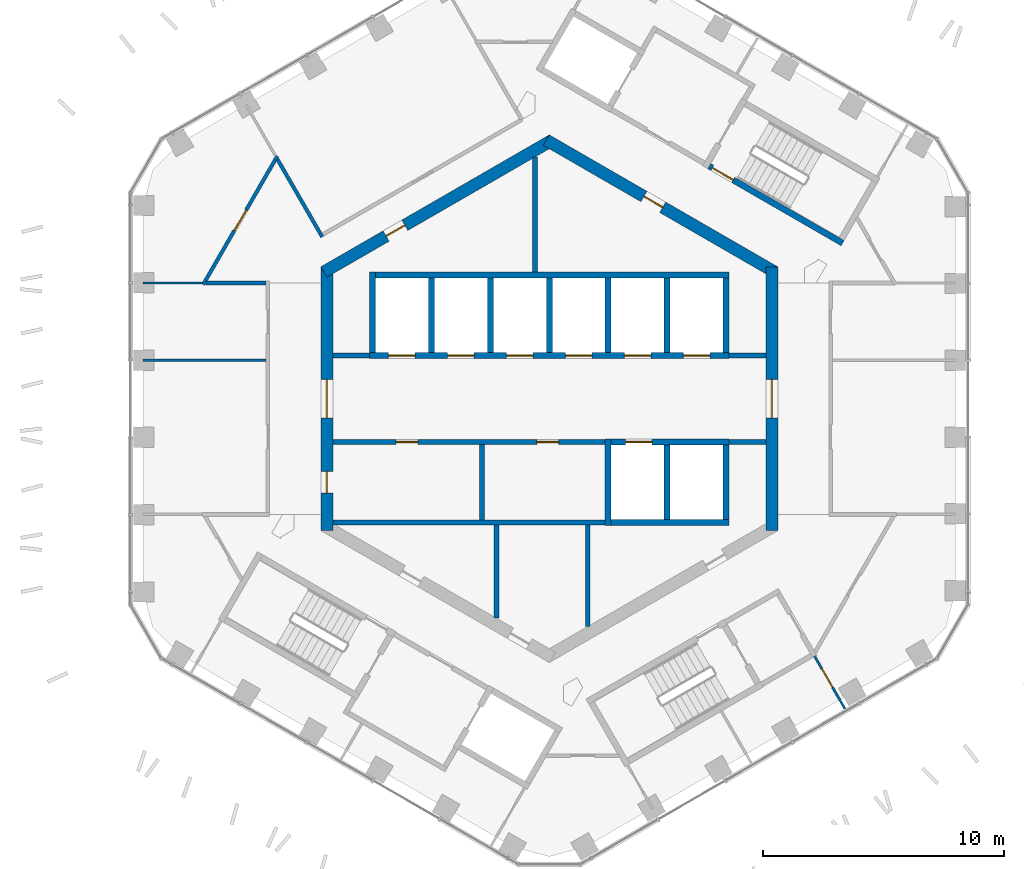
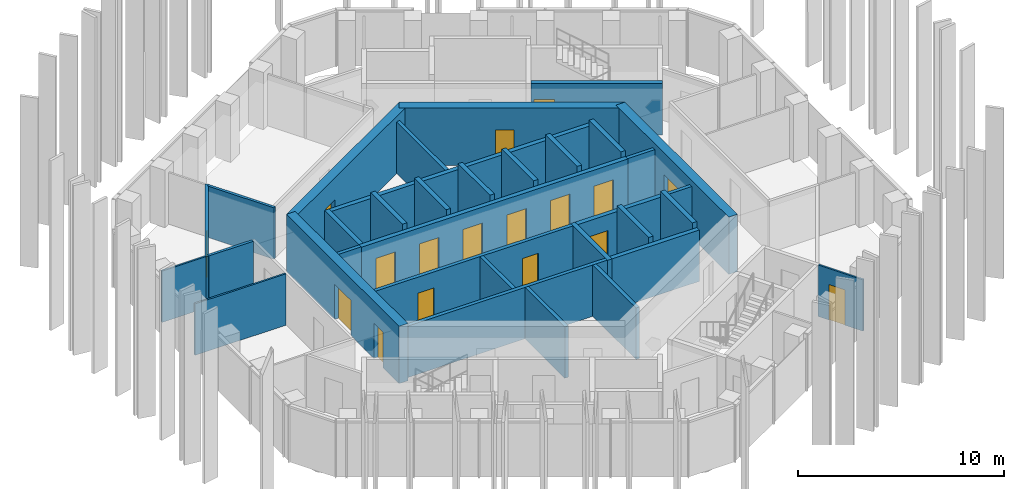
# One storey, part 13 of 18: 34 walls, 17 doors, 17 openings.
"""IFC4 building model written with IfcOpenShell, lengths in metres."""

from ifc_helpers import new_model, si_unit, direction, frame, frame_2d, origin, place, context, subcontext, project, spatial, rectangle, extrude, material, layer, layer_set, type_object, element, fill, save


model = new_model("IFC4")

# Units and contexts
model_context = context("Model", 3, precision=1e-05, world=origin(), true_north=direction((0.0, 1.0)))
body_context = subcontext(model_context, "Body", "Model", "MODEL_VIEW")
ifc_project = project(units=[si_unit("LENGTHUNIT", "METRE"), si_unit("AREAUNIT", "SQUARE_METRE"), si_unit("VOLUMEUNIT", "CUBIC_METRE"), si_unit("PLANEANGLEUNIT", "RADIAN"), si_unit("MASSUNIT", "GRAM", prefix="KILO")], contexts=[model_context])

# Site, building, storey
site_placement = place(None, origin())
site = spatial("IfcSite", under=ifc_project, at=site_placement, CompositionType="ELEMENT")
building_placement = place(site_placement, origin())
building = spatial("IfcBuilding", under=site, at=building_placement, Name="Ayvan Gate Tower", CompositionType="ELEMENT")
storey_placement = place(building_placement, frame((0.0, 0.0, 218.89990234375)))
storey = spatial("IfcBuildingStorey", under=building, at=storey_placement, Name="L58", CompositionType="ELEMENT", Elevation=218.89990234375)

# Wall, opening, door
ifc_material_1 = material(Name="Concrete C60/75", Category="concrete")
ifc_layer_1 = layer(ifc_material_1, 0.5)
ifc_layer_set_1 = layer_set([ifc_layer_1], Name="Concrete C60/75")
wall_type_1 = type_object("IfcWallType", Name="Core wall 500 C60/75", PredefinedType="SHEAR", material=ifc_layer_set_1)
wall_1_placement = place(storey_placement, frame((9.25, -5.48486328125, 0.0), z_axis=(0.0, 0.0, 1.0), x_axis=(0.0, 1.0, 0.0)))
wall_1 = element("IfcWall", 1, at=wall_1_placement, inside=storey, type_object=wall_type_1, Name="CORE-L58-0", PredefinedType="SHEAR", context=body_context, shape_type="SweptSolid", body=[
    extrude(rectangle(XDim=10.9697265625, YDim=0.5, at=frame_2d((5.48486328125, 0.0))), origin(), (0.0, 0.0, 1.0), 3.400146484375),
])
opening_1_placement = place(wall_1_placement, frame((4.684814453125, 0.0, 0.0)))
opening_1 = element("IfcOpeningElement", 2, at=opening_1_placement, cuts=wall_1, Name="Opening L58-D44", PredefinedType="OPENING", context=body_context, shape_type="SweptSolid", body=[
    extrude(rectangle(XDim=1.60009765625, YDim=2.10009765625, at=frame_2d((0.800048828125, 1.050048828125))), frame((0.0, 0.260009765625, 0.0), z_axis=(0.0, -1.0, 0.0), x_axis=(1.0, 0.0, 0.0)), (0.0, 0.0, 1.0), 0.52001953125),
])
ifc_material_2 = material(Name="Timber door leaf", Category="wood")
door_type_1 = type_object("IfcDoorType", Name="DT-1600", OperationType="NOTDEFINED", PredefinedType="DOOR", material=ifc_material_2)
door_1_placement = place(opening_1_placement, origin())
door_1 = element("IfcDoor", 3, at=door_1_placement, inside=storey, type_object=door_type_1, Name="CD-L58-44", OperationType="SINGLE_SWING_RIGHT", OverallHeight=2.10009765625, OverallWidth=1.60009765625, PredefinedType="DOOR", context=body_context, shape_type="SweptSolid", body=[
    extrude(rectangle(XDim=1.60009765625, YDim=2.10009765625, at=frame_2d((0.800048828125, 1.050048828125))), frame((0.0, 0.02490234375, 0.0), z_axis=(0.0, -1.0, 0.0), x_axis=(1.0, 0.0, 0.0)), (0.0, 0.0, 1.0), 0.050048828125),
])
fill(opening_1, door_1)

wall_2_placement = place(storey_placement, frame((9.375, 5.268310546875, 0.0), z_axis=(0.0, 0.0, 1.0), x_axis=(-0.866023993627, 0.500002442456, 0.0)))
wall_2 = element("IfcWall", 4, at=wall_2_placement, inside=storey, type_object=wall_type_1, Name="CORE-L58-1", PredefinedType="SHEAR", context=body_context, shape_type="SweptSolid", body=[
    extrude(rectangle(XDim=10.9697265625, YDim=0.5, at=frame_2d((5.48486328125, 0.0))), origin(), (0.0, 0.0, 1.0), 3.400146484375),
])
opening_2_placement = place(wall_2_placement, frame((5.3818359375, 0.0, 0.0)))
opening_2 = element("IfcOpeningElement", 5, at=opening_2_placement, cuts=wall_2, Name="Opening L58-D39", PredefinedType="OPENING", context=body_context, shape_type="SweptSolid", body=[
    extrude(rectangle(XDim=0.89990234375, YDim=2.10009765625, at=frame_2d((0.449951171875, 1.050048828125))), frame((0.0, 0.260009765625, 0.0), z_axis=(0.0, -1.0, 0.0), x_axis=(1.0, 0.0, 0.0)), (0.0, 0.0, 1.0), 0.52001953125),
])
door_type_2 = type_object("IfcDoorType", Name="DT-900", OperationType="NOTDEFINED", PredefinedType="DOOR", material=ifc_material_2)
door_2_placement = place(opening_2_placement, origin())
door_2 = element("IfcDoor", 6, at=door_2_placement, inside=storey, type_object=door_type_2, Name="CD-L58-39", OperationType="SINGLE_SWING_LEFT", OverallHeight=2.10009765625, OverallWidth=0.89990234375, PredefinedType="DOOR", context=body_context, shape_type="SweptSolid", body=[
    extrude(rectangle(XDim=0.89990234375, YDim=2.10009765625, at=frame_2d((0.449951171875, 1.050048828125))), frame((0.0, 0.02490234375, 0.0), z_axis=(0.0, -1.0, 0.0), x_axis=(1.0, 0.0, 0.0)), (0.0, 0.0, 1.0), 0.050048828125),
])
fill(opening_2, door_2)

wall_3_placement = place(storey_placement, frame((0.125, 10.753173828125, 0.0), z_axis=(0.0, 0.0, 1.0), x_axis=(-0.866023993627, -0.500002442456, 0.0)))
wall_3 = element("IfcWall", 7, at=wall_3_placement, inside=storey, type_object=wall_type_1, Name="CORE-L58-2", PredefinedType="SHEAR", context=body_context, shape_type="SweptSolid", body=[
    extrude(rectangle(XDim=10.9697265625, YDim=0.5, at=frame_2d((5.48486328125, 0.0))), origin(), (0.0, 0.0, 1.0), 3.400146484375),
])
opening_3_placement = place(wall_3_placement, frame((7.079833984375, 0.0, 0.0)))
opening_3 = element("IfcOpeningElement", 8, at=opening_3_placement, cuts=wall_3, Name="Opening L58-D38", PredefinedType="OPENING", context=body_context, shape_type="SweptSolid", body=[
    extrude(rectangle(XDim=0.89990234375, YDim=2.10009765625, at=frame_2d((0.449951171875, 1.050048828125))), frame((0.0, 0.260009765625, 0.0), z_axis=(0.0, -1.0, 0.0), x_axis=(1.0, 0.0, 0.0)), (0.0, 0.0, 1.0), 0.52001953125),
])
door_3_placement = place(opening_3_placement, origin())
door_3 = element("IfcDoor", 9, at=door_3_placement, inside=storey, type_object=door_type_2, Name="CD-L58-38", OperationType="SINGLE_SWING_RIGHT", OverallHeight=2.10009765625, OverallWidth=0.89990234375, PredefinedType="DOOR", context=body_context, shape_type="SweptSolid", body=[
    extrude(rectangle(XDim=0.89990234375, YDim=2.10009765625, at=frame_2d((0.449951171875, 1.050048828125))), frame((0.0, 0.02490234375, 0.0), z_axis=(0.0, -1.0, 0.0), x_axis=(1.0, 0.0, 0.0)), (0.0, 0.0, 1.0), 0.050048828125),
])
fill(opening_3, door_3)

# Wall, openings, doors
wall_4_placement = place(storey_placement, frame((-9.25, 5.48486328125, 0.0), z_axis=(0.0, 0.0, 1.0), x_axis=(0.0, -1.0, 0.0)))
wall_4 = element("IfcWall", 10, at=wall_4_placement, inside=storey, type_object=wall_type_1, Name="CORE-L58-3", PredefinedType="SHEAR", context=body_context, shape_type="SweptSolid", body=[
    extrude(rectangle(XDim=10.9697265625, YDim=0.5, at=frame_2d((5.48486328125, 0.0))), origin(), (0.0, 0.0, 1.0), 3.400146484375),
])
opening_4_placement = place(wall_4_placement, frame((8.509765625, 0.0, 0.0)))
opening_4 = element("IfcOpeningElement", 11, at=opening_4_placement, cuts=wall_4, Name="Opening L58-D43", PredefinedType="OPENING", context=body_context, shape_type="SweptSolid", body=[
    extrude(rectangle(XDim=0.89990234375, YDim=2.10009765625, at=frame_2d((0.449951171875, 1.050048828125))), frame((0.0, 0.260009765625, 0.0), z_axis=(0.0, -1.0, 0.0), x_axis=(1.0, 0.0, 0.0)), (0.0, 0.0, 1.0), 0.52001953125),
])
opening_5_placement = place(wall_4_placement, frame((4.684814453125, 0.0, 0.0)))
opening_5 = element("IfcOpeningElement", 12, at=opening_5_placement, cuts=wall_4, Name="Opening L58-D45", PredefinedType="OPENING", context=body_context, shape_type="SweptSolid", body=[
    extrude(rectangle(XDim=1.60009765625, YDim=2.10009765625, at=frame_2d((0.800048828125, 1.050048828125))), frame((0.0, 0.260009765625, 0.0), z_axis=(0.0, -1.0, 0.0), x_axis=(1.0, 0.0, 0.0)), (0.0, 0.0, 1.0), 0.52001953125),
])
door_4_placement = place(opening_5_placement, origin())
door_4 = element("IfcDoor", 13, at=door_4_placement, inside=storey, type_object=door_type_1, Name="CD-L58-45", OperationType="SINGLE_SWING_LEFT", OverallHeight=2.10009765625, OverallWidth=1.60009765625, PredefinedType="DOOR", context=body_context, shape_type="SweptSolid", body=[
    extrude(rectangle(XDim=1.60009765625, YDim=2.10009765625, at=frame_2d((0.800048828125, 1.050048828125))), frame((0.0, 0.02490234375, 0.0), z_axis=(0.0, -1.0, 0.0), x_axis=(1.0, 0.0, 0.0)), (0.0, 0.0, 1.0), 0.050048828125),
])
fill(opening_5, door_4)
door_5_placement = place(opening_4_placement, origin())
door_5 = element("IfcDoor", 14, at=door_5_placement, inside=storey, type_object=door_type_2, Name="CD-L58-43", OperationType="SINGLE_SWING_LEFT", OverallHeight=2.10009765625, OverallWidth=0.89990234375, PredefinedType="DOOR", context=body_context, shape_type="SweptSolid", body=[
    extrude(rectangle(XDim=0.89990234375, YDim=2.10009765625, at=frame_2d((0.449951171875, 1.050048828125))), frame((0.0, 0.02490234375, 0.0), z_axis=(0.0, -1.0, 0.0), x_axis=(1.0, 0.0, 0.0)), (0.0, 0.0, 1.0), 0.050048828125),
])
fill(opening_4, door_5)

# Wall, opening, door
ifc_material_3 = material(Name="Plasterboard on steel stud", Category="steel")
ifc_layer_2 = layer(ifc_material_3, 0.14990234375)
ifc_layer_set_2 = layer_set([ifc_layer_2], Name="Plasterboard on steel stud")
wall_type_2 = type_object("IfcWallType", Name="WT-CORR-150", PredefinedType="PARTITIONING", material=ifc_layer_set_2)
wall_5_placement = place(storey_placement, frame((-14.39111328125, 4.745849609375, 0.0), z_axis=(0.0, 0.0, 1.0), x_axis=(0.500023814363, 0.866011654119, 0.0)))
wall_5 = element("IfcWall", 15, at=wall_5_placement, inside=storey, type_object=wall_type_2, Name="IW-L58-001", PredefinedType="PARTITIONING", context=body_context, shape_type="SweptSolid", body=[
    extrude(rectangle(XDim=6.171142578125, YDim=0.14990234375, at=frame_2d((3.08544921875, 0.0))), origin(), (0.0, 0.0, 1.0), 3.050048828125),
])
opening_6_placement = place(wall_5_placement, frame((2.58544921875, 0.0, 0.0)))
opening_6 = element("IfcOpeningElement", 16, at=opening_6_placement, cuts=wall_5, Name="Opening L58-D27", PredefinedType="OPENING", context=body_context, shape_type="SweptSolid", body=[
    extrude(rectangle(XDim=1.0, YDim=2.10009765625, at=frame_2d((0.5, 1.050048828125))), frame((0.0, 0.0849609375, 0.0), z_axis=(0.0, -1.0, 0.0), x_axis=(1.0, 0.0, 0.0)), (0.0, 0.0, 1.0), 0.169921875),
])
door_type_3 = type_object("IfcDoorType", Name="DT-1000", OperationType="NOTDEFINED", PredefinedType="DOOR", material=ifc_material_2)
door_6_placement = place(opening_6_placement, origin())
door_6 = element("IfcDoor", 17, at=door_6_placement, inside=storey, type_object=door_type_3, Name="ID-L58-027", OperationType="SINGLE_SWING_LEFT", OverallHeight=2.10009765625, OverallWidth=1.0, PredefinedType="DOOR", context=body_context, shape_type="SweptSolid", body=[
    extrude(rectangle(XDim=1.0, YDim=2.10009765625, at=frame_2d((0.5, 1.050048828125))), frame((0.0, 0.02490234375, 0.0), z_axis=(0.0, -1.0, 0.0), x_axis=(1.0, 0.0, 0.0)), (0.0, 0.0, 1.0), 0.050048828125),
])
fill(opening_6, door_6)

# Walls
wall_6_placement = place(storey_placement, frame((-11.77490234375, 4.810791015625, 0.0), z_axis=(0.0, 0.0, 1.0), x_axis=(-1.0, 0.0, 0.0)))
element("IfcWall", 18, at=wall_6_placement, inside=storey, type_object=wall_type_2, Name="IW-L58-011", PredefinedType="PARTITIONING", context=body_context, shape_type="SweptSolid", body=[
    extrude(rectangle(XDim=2.503662109375, YDim=0.14990234375, at=frame_2d((1.251953125, 0.0))), origin(), (0.0, 0.0, 1.0), 3.050048828125),
])
wall_7_placement = place(storey_placement, frame((-11.305419921875, 9.960205078125, 0.0), z_axis=(0.0, 0.0, 1.0), x_axis=(0.499979060117, -0.866037493094, 0.0)))
element("IfcWall", 19, at=wall_7_placement, inside=storey, type_object=wall_type_2, Name="IW-L58-012", PredefinedType="PARTITIONING", context=body_context, shape_type="SweptSolid", body=[
    extrude(rectangle(XDim=3.733642578125, YDim=0.14990234375, at=frame_2d((1.86669921875, 0.0))), origin(), (0.0, 0.0, 1.0), 3.050048828125),
])
ifc_layer_3 = layer(ifc_material_3, 0.10009765625)
ifc_layer_set_3 = layer_set([ifc_layer_3], Name="Plasterboard on steel stud")
wall_type_3 = type_object("IfcWallType", Name="WT-PART-100", PredefinedType="PARTITIONING", material=ifc_layer_set_3)
wall_8_placement = place(storey_placement, frame((-14.428466796875, 4.810791015625, 0.0), z_axis=(0.0, 0.0, 1.0), x_axis=(-1.0, 0.0, 0.0)))
element("IfcWall", 20, at=wall_8_placement, inside=storey, type_object=wall_type_3, Name="IW-L58-000", PredefinedType="PARTITIONING", context=body_context, shape_type="SweptSolid", body=[
    extrude(rectangle(XDim=2.458984375, YDim=0.10009765625, at=frame_2d((1.2294921875, 0.0))), origin(), (0.0, 0.0, 1.0), 3.050048828125),
])
wall_9_placement = place(storey_placement, frame((-11.77490234375, 1.603515625, 0.0), z_axis=(0.0, 0.0, 1.0), x_axis=(-1.0, 0.0, 0.0)))
element("IfcWall", 21, at=wall_9_placement, inside=storey, type_object=wall_type_3, Name="IW-L58-010", PredefinedType="PARTITIONING", context=body_context, shape_type="SweptSolid", body=[
    extrude(rectangle(XDim=5.112548828125, YDim=0.10009765625, at=frame_2d((2.55615234375, 0.0))), origin(), (0.0, 0.0, 1.0), 3.050048828125),
])

# Wall, opening, door
wall_10_placement = place(storey_placement, frame((12.29150390625, -12.8896484375, 0.0), z_axis=(0.0, 0.0, 1.0), x_axis=(-0.500003972934, 0.866023109998, 0.0)))
wall_10 = element("IfcWall", 22, at=wall_10_placement, inside=storey, type_object=wall_type_3, Name="IW-L58-078", PredefinedType="PARTITIONING", context=body_context, shape_type="SweptSolid", body=[
    extrude(rectangle(XDim=2.52734375, YDim=0.10009765625, at=frame_2d((1.263671875, 0.0))), origin(), (0.0, 0.0, 1.0), 3.050048828125),
])
opening_7_placement = place(wall_10_placement, frame((1.024169921875, 0.0, 0.0)))
opening_7 = element("IfcOpeningElement", 23, at=opening_7_placement, cuts=wall_10, Name="Opening L58-D36", PredefinedType="OPENING", context=body_context, shape_type="SweptSolid", body=[
    extrude(rectangle(XDim=0.89990234375, YDim=2.10009765625, at=frame_2d((0.449951171875, 1.050048828125))), frame((0.0, 0.06005859375, 0.0), z_axis=(0.0, -1.0, 0.0), x_axis=(1.0, 0.0, 0.0)), (0.0, 0.0, 1.0), 0.1201171875),
])
door_7_placement = place(opening_7_placement, origin())
door_7 = element("IfcDoor", 24, at=door_7_placement, inside=storey, type_object=door_type_2, Name="ID-L58-036", OperationType="SINGLE_SWING_RIGHT", OverallHeight=2.10009765625, OverallWidth=0.89990234375, PredefinedType="DOOR", context=body_context, shape_type="SweptSolid", body=[
    extrude(rectangle(XDim=0.89990234375, YDim=2.10009765625, at=frame_2d((0.449951171875, 1.050048828125))), frame((0.0, 0.02490234375, 0.0), z_axis=(0.0, -1.0, 0.0), x_axis=(1.0, 0.0, 0.0)), (0.0, 0.0, 1.0), 0.050048828125),
])
fill(opening_7, door_7)

# Walls
ifc_layer_4 = layer(ifc_material_3, 0.199951171875)
ifc_layer_set_4 = layer_set([ifc_layer_4], Name="Plasterboard on steel stud")
wall_type_4 = type_object("IfcWallType", Name="WT-RATED-200", PredefinedType="PARTITIONING", material=ifc_layer_set_4)
wall_11_placement = place(storey_placement, frame((-9.0, 1.800048828125, 0.0), z_axis=(0.0, 0.0, 1.0), x_axis=(1.0, 0.0, 0.0)))
element("IfcWall", 25, at=wall_11_placement, inside=storey, type_object=wall_type_4, Name="IW-L58-014", PredefinedType="PARTITIONING", context=body_context, shape_type="SweptSolid", body=[
    extrude(rectangle(XDim=1.525146484375, YDim=0.199951171875, at=frame_2d((0.7626953125, 0.0))), origin(), (0.0, 0.0, 1.0), 3.050048828125),
])
wall_12_placement = place(storey_placement, frame((-9.0, -5.14990234375, 0.0), z_axis=(0.0, 0.0, 1.0), x_axis=(1.0, 0.0, 0.0)))
element("IfcWall", 26, at=wall_12_placement, inside=storey, type_object=wall_type_4, Name="IW-L58-015", PredefinedType="PARTITIONING", context=body_context, shape_type="SweptSolid", body=[
    extrude(rectangle(XDim=11.3251953125, YDim=0.199951171875, at=frame_2d((5.66259765625, 0.0))), origin(), (0.0, 0.0, 1.0), 3.050048828125),
])
wall_13_placement = place(storey_placement, frame((-2.800048828125, -1.89990234375, 0.0), z_axis=(0.0, 0.0, 1.0), x_axis=(0.0, -1.0, 0.0)))
element("IfcWall", 27, at=wall_13_placement, inside=storey, type_object=wall_type_4, Name="IW-L58-029", PredefinedType="PARTITIONING", context=body_context, shape_type="SweptSolid", body=[
    extrude(rectangle(XDim=3.150146484375, YDim=0.199951171875, at=frame_2d((1.5751953125, 0.0))), origin(), (0.0, 0.0, 1.0), 3.050048828125),
])

# Wall, openings, doors
wall_14_placement = place(storey_placement, frame((-9.0, -1.800048828125, 0.0), z_axis=(0.0, 0.0, 1.0), x_axis=(1.0, 0.0, 0.0)))
wall_14 = element("IfcWall", 28, at=wall_14_placement, inside=storey, type_object=wall_type_4, Name="IW-L58-030", PredefinedType="PARTITIONING", context=body_context, shape_type="SweptSolid", body=[
    extrude(rectangle(XDim=11.3251953125, YDim=0.199951171875, at=frame_2d((5.66259765625, 0.0))), origin(), (0.0, 0.0, 1.0), 3.050048828125),
])
opening_8_placement = place(wall_14_placement, frame((2.635009765625, 0.0, 0.0)))
opening_8 = element("IfcOpeningElement", 29, at=opening_8_placement, cuts=wall_14, Name="Opening L58-D08", PredefinedType="OPENING", context=body_context, shape_type="SweptSolid", body=[
    extrude(rectangle(XDim=0.89990234375, YDim=2.10009765625, at=frame_2d((0.449951171875, 1.050048828125))), frame((0.0, 0.10986328125, 0.0), z_axis=(0.0, -1.0, 0.0), x_axis=(1.0, 0.0, 0.0)), (0.0, 0.0, 1.0), 0.219970703125),
])
opening_9_placement = place(wall_14_placement, frame((8.487548828125, 0.0, 0.0)))
opening_9 = element("IfcOpeningElement", 30, at=opening_9_placement, cuts=wall_14, Name="Opening L58-D09", PredefinedType="OPENING", context=body_context, shape_type="SweptSolid", body=[
    extrude(rectangle(XDim=0.89990234375, YDim=2.10009765625, at=frame_2d((0.449951171875, 1.050048828125))), frame((0.0, 0.10986328125, 0.0), z_axis=(0.0, -1.0, 0.0), x_axis=(1.0, 0.0, 0.0)), (0.0, 0.0, 1.0), 0.219970703125),
])
door_8_placement = place(opening_8_placement, origin())
door_8 = element("IfcDoor", 31, at=door_8_placement, inside=storey, type_object=door_type_2, Name="ID-L58-008", OperationType="SINGLE_SWING_RIGHT", OverallHeight=2.10009765625, OverallWidth=0.89990234375, PredefinedType="DOOR", context=body_context, shape_type="SweptSolid", body=[
    extrude(rectangle(XDim=0.89990234375, YDim=2.10009765625, at=frame_2d((0.449951171875, 1.050048828125))), frame((0.0, 0.02490234375, 0.0), z_axis=(0.0, -1.0, 0.0), x_axis=(1.0, 0.0, 0.0)), (0.0, 0.0, 1.0), 0.050048828125),
])
fill(opening_8, door_8)
door_9_placement = place(opening_9_placement, origin())
door_9 = element("IfcDoor", 32, at=door_9_placement, inside=storey, type_object=door_type_2, Name="ID-L58-009", OperationType="SINGLE_SWING_LEFT", OverallHeight=2.10009765625, OverallWidth=0.89990234375, PredefinedType="DOOR", context=body_context, shape_type="SweptSolid", body=[
    extrude(rectangle(XDim=0.89990234375, YDim=2.10009765625, at=frame_2d((0.449951171875, 1.050048828125))), frame((0.0, 0.02490234375, 0.0), z_axis=(0.0, -1.0, 0.0), x_axis=(1.0, 0.0, 0.0)), (0.0, 0.0, 1.0), 0.050048828125),
])
fill(opening_9, door_9)

# Walls
wall_15_placement = place(storey_placement, frame((-2.199951171875, -5.25, 0.0), z_axis=(0.0, 0.0, 1.0), x_axis=(0.0, -1.0, 0.0)))
element("IfcWall", 33, at=wall_15_placement, inside=storey, type_object=wall_type_4, Name="IW-L58-035", PredefinedType="PARTITIONING", context=body_context, shape_type="SweptSolid", body=[
    extrude(rectangle(XDim=3.8720703125, YDim=0.199951171875, at=frame_2d((1.93603515625, 0.0))), origin(), (0.0, 0.0, 1.0), 3.050048828125),
])
wall_16_placement = place(storey_placement, frame((-0.60009765625, 10.0458984375, 0.0), z_axis=(0.0, 0.0, 1.0), x_axis=(0.0, -1.0, 0.0)))
element("IfcWall", 34, at=wall_16_placement, inside=storey, type_object=wall_type_4, Name="IW-L58-039", PredefinedType="PARTITIONING", context=body_context, shape_type="SweptSolid", body=[
    extrude(rectangle(XDim=4.77099609375, YDim=0.199951171875, at=frame_2d((2.385498046875, 0.0))), origin(), (0.0, 0.0, 1.0), 3.050048828125),
])
wall_17_placement = place(storey_placement, frame((1.60009765625, -5.25, 0.0), z_axis=(0.0, 0.0, 1.0), x_axis=(0.0, -1.0, 0.0)))
element("IfcWall", 35, at=wall_17_placement, inside=storey, type_object=wall_type_4, Name="IW-L58-044", PredefinedType="PARTITIONING", context=body_context, shape_type="SweptSolid", body=[
    extrude(rectangle(XDim=4.218505859375, YDim=0.199951171875, at=frame_2d((2.109375, 0.0))), origin(), (0.0, 0.0, 1.0), 3.050048828125),
])
for number, where, z_axis, x_axis, name in (
    (36, (7.474853515625, 1.800048828125, 0.0), (0.0, 0.0, 1.0), (1.0, 0.0, 0.0), "IW-L58-066"),
    (37, (9.0, -1.800048828125, 0.0), (0.0, 0.0, 1.0), (-1.0, 0.0, 0.0), "IW-L58-072"),
):
    element("IfcWall", number, at=place(storey_placement, frame(where, z_axis=z_axis, x_axis=x_axis)), inside=storey, type_object=wall_type_4, Name=name, PredefinedType="PARTITIONING", context=body_context, shape_type="SweptSolid", body=[
        extrude(rectangle(XDim=1.525146484375, YDim=0.199951171875, at=frame_2d((0.7626953125, 0.0))), origin(), (0.0, 0.0, 1.0), 3.050048828125),
    ])

# Wall, openings, doors
ifc_material_4 = material(Name="Concrete C50/60", Category="concrete")
ifc_layer_5 = layer(ifc_material_4, 0.25)
ifc_layer_set_5 = layer_set([ifc_layer_5], Name="Concrete C50/60")
wall_type_5 = type_object("IfcWallType", Name="WT-RC-250", PredefinedType="SHEAR", material=ifc_layer_set_5)
wall_18_placement = place(storey_placement, frame((-7.47509765625, 1.800048828125, 0.0), z_axis=(0.0, 0.0, 1.0), x_axis=(1.0, 0.0, 0.0)))
wall_18 = element("IfcWall", 38, at=wall_18_placement, inside=storey, type_object=wall_type_5, Name="IW-L58-020", PredefinedType="SHEAR", context=body_context, shape_type="SweptSolid", body=[
    extrude(rectangle(XDim=14.9501953125, YDim=0.25, at=frame_2d((7.47509765625, 0.0))), origin(), (0.0, 0.0, 1.0), 3.050048828125),
])
opening_10_placement = place(wall_18_placement, frame((0.800048828125, 0.0, 0.0)))
opening_10 = element("IfcOpeningElement", 39, at=opening_10_placement, cuts=wall_18, Name="Opening L58-LD-HR1", PredefinedType="OPENING", context=body_context, shape_type="SweptSolid", body=[
    extrude(rectangle(XDim=1.10009765625, YDim=2.10009765625, at=frame_2d((0.550048828125, 1.050048828125))), frame((0.0, 0.135009765625, 0.0), z_axis=(0.0, -1.0, 0.0), x_axis=(1.0, 0.0, 0.0)), (0.0, 0.0, 1.0), 0.27001953125),
])
opening_11_placement = place(wall_18_placement, frame((3.25, 0.0, 0.0)))
opening_11 = element("IfcOpeningElement", 40, at=opening_11_placement, cuts=wall_18, Name="Opening L58-LD-HR2", PredefinedType="OPENING", context=body_context, shape_type="SweptSolid", body=[
    extrude(rectangle(XDim=1.10009765625, YDim=2.10009765625, at=frame_2d((0.550048828125, 1.050048828125))), frame((0.0, 0.135009765625, 0.0), z_axis=(0.0, -1.0, 0.0), x_axis=(1.0, 0.0, 0.0)), (0.0, 0.0, 1.0), 0.27001953125),
])
opening_12_placement = place(wall_18_placement, frame((5.7001953125, 0.0, 0.0)))
opening_12 = element("IfcOpeningElement", 41, at=opening_12_placement, cuts=wall_18, Name="Opening L58-LD-HR3", PredefinedType="OPENING", context=body_context, shape_type="SweptSolid", body=[
    extrude(rectangle(XDim=1.10009765625, YDim=2.10009765625, at=frame_2d((0.550048828125, 1.050048828125))), frame((0.0, 0.135009765625, 0.0), z_axis=(0.0, -1.0, 0.0), x_axis=(1.0, 0.0, 0.0)), (0.0, 0.0, 1.0), 0.27001953125),
])
opening_13_placement = place(wall_18_placement, frame((8.150146484375, 0.0, 0.0)))
opening_13 = element("IfcOpeningElement", 42, at=opening_13_placement, cuts=wall_18, Name="Opening L58-LD-HR4", PredefinedType="OPENING", context=body_context, shape_type="SweptSolid", body=[
    extrude(rectangle(XDim=1.10009765625, YDim=2.10009765625, at=frame_2d((0.550048828125, 1.050048828125))), frame((0.0, 0.135009765625, 0.0), z_axis=(0.0, -1.0, 0.0), x_axis=(1.0, 0.0, 0.0)), (0.0, 0.0, 1.0), 0.27001953125),
])
opening_14_placement = place(wall_18_placement, frame((10.60009765625, 0.0, 0.0)))
opening_14 = element("IfcOpeningElement", 43, at=opening_14_placement, cuts=wall_18, Name="Opening L58-LD-HR5", PredefinedType="OPENING", context=body_context, shape_type="SweptSolid", body=[
    extrude(rectangle(XDim=1.10009765625, YDim=2.10009765625, at=frame_2d((0.550048828125, 1.050048828125))), frame((0.0, 0.135009765625, 0.0), z_axis=(0.0, -1.0, 0.0), x_axis=(1.0, 0.0, 0.0)), (0.0, 0.0, 1.0), 0.27001953125),
])
opening_15_placement = place(wall_18_placement, frame((13.050048828125, 0.0, 0.0)))
opening_15 = element("IfcOpeningElement", 44, at=opening_15_placement, cuts=wall_18, Name="Opening L58-LD-HR6", PredefinedType="OPENING", context=body_context, shape_type="SweptSolid", body=[
    extrude(rectangle(XDim=1.10009765625, YDim=2.10009765625, at=frame_2d((0.550048828125, 1.050048828125))), frame((0.0, 0.135009765625, 0.0), z_axis=(0.0, -1.0, 0.0), x_axis=(1.0, 0.0, 0.0)), (0.0, 0.0, 1.0), 0.27001953125),
])
ifc_material_5 = material(Name="Stainless steel landing door", Category="steel")
door_type_4 = type_object("IfcDoorType", Name="DT-LANDING-1100", OperationType="SLIDING_TO_LEFT", PredefinedType="DOOR", material=ifc_material_5)
door_10_placement = place(opening_10_placement, origin())
door_10 = element("IfcDoor", 45, at=door_10_placement, inside=storey, type_object=door_type_4, Name="ID-L58-001", OperationType="SLIDING_TO_LEFT", OverallHeight=2.10009765625, OverallWidth=1.10009765625, PredefinedType="DOOR", context=body_context, shape_type="SweptSolid", body=[
    extrude(rectangle(XDim=1.10009765625, YDim=2.10009765625, at=frame_2d((0.550048828125, 1.050048828125))), frame((0.0, 0.02490234375, 0.0), z_axis=(0.0, -1.0, 0.0), x_axis=(1.0, 0.0, 0.0)), (0.0, 0.0, 1.0), 0.050048828125),
])
fill(opening_10, door_10)
door_11_placement = place(opening_11_placement, origin())
door_11 = element("IfcDoor", 46, at=door_11_placement, inside=storey, type_object=door_type_4, Name="ID-L58-002", OperationType="SLIDING_TO_LEFT", OverallHeight=2.10009765625, OverallWidth=1.10009765625, PredefinedType="DOOR", context=body_context, shape_type="SweptSolid", body=[
    extrude(rectangle(XDim=1.10009765625, YDim=2.10009765625, at=frame_2d((0.550048828125, 1.050048828125))), frame((0.0, 0.02490234375, 0.0), z_axis=(0.0, -1.0, 0.0), x_axis=(1.0, 0.0, 0.0)), (0.0, 0.0, 1.0), 0.050048828125),
])
fill(opening_11, door_11)
door_12_placement = place(opening_12_placement, origin())
door_12 = element("IfcDoor", 47, at=door_12_placement, inside=storey, type_object=door_type_4, Name="ID-L58-003", OperationType="SLIDING_TO_LEFT", OverallHeight=2.10009765625, OverallWidth=1.10009765625, PredefinedType="DOOR", context=body_context, shape_type="SweptSolid", body=[
    extrude(rectangle(XDim=1.10009765625, YDim=2.10009765625, at=frame_2d((0.550048828125, 1.050048828125))), frame((0.0, 0.02490234375, 0.0), z_axis=(0.0, -1.0, 0.0), x_axis=(1.0, 0.0, 0.0)), (0.0, 0.0, 1.0), 0.050048828125),
])
fill(opening_12, door_12)
door_13_placement = place(opening_13_placement, origin())
door_13 = element("IfcDoor", 48, at=door_13_placement, inside=storey, type_object=door_type_4, Name="ID-L58-004", OperationType="SLIDING_TO_LEFT", OverallHeight=2.10009765625, OverallWidth=1.10009765625, PredefinedType="DOOR", context=body_context, shape_type="SweptSolid", body=[
    extrude(rectangle(XDim=1.10009765625, YDim=2.10009765625, at=frame_2d((0.550048828125, 1.050048828125))), frame((0.0, 0.02490234375, 0.0), z_axis=(0.0, -1.0, 0.0), x_axis=(1.0, 0.0, 0.0)), (0.0, 0.0, 1.0), 0.050048828125),
])
fill(opening_13, door_13)
door_14_placement = place(opening_14_placement, origin())
door_14 = element("IfcDoor", 49, at=door_14_placement, inside=storey, type_object=door_type_4, Name="ID-L58-005", OperationType="SLIDING_TO_LEFT", OverallHeight=2.10009765625, OverallWidth=1.10009765625, PredefinedType="DOOR", context=body_context, shape_type="SweptSolid", body=[
    extrude(rectangle(XDim=1.10009765625, YDim=2.10009765625, at=frame_2d((0.550048828125, 1.050048828125))), frame((0.0, 0.02490234375, 0.0), z_axis=(0.0, -1.0, 0.0), x_axis=(1.0, 0.0, 0.0)), (0.0, 0.0, 1.0), 0.050048828125),
])
fill(opening_14, door_14)
door_15_placement = place(opening_15_placement, origin())
door_15 = element("IfcDoor", 50, at=door_15_placement, inside=storey, type_object=door_type_4, Name="ID-L58-006", OperationType="SLIDING_TO_LEFT", OverallHeight=2.10009765625, OverallWidth=1.10009765625, PredefinedType="DOOR", context=body_context, shape_type="SweptSolid", body=[
    extrude(rectangle(XDim=1.10009765625, YDim=2.10009765625, at=frame_2d((0.550048828125, 1.050048828125))), frame((0.0, 0.02490234375, 0.0), z_axis=(0.0, -1.0, 0.0), x_axis=(1.0, 0.0, 0.0)), (0.0, 0.0, 1.0), 0.050048828125),
])
fill(opening_15, door_15)

# Walls
wall_19_placement = place(storey_placement, frame((-7.35009765625, 1.925048828125, 0.0), z_axis=(0.0, 0.0, 1.0), x_axis=(0.0, 1.0, 0.0)))
element("IfcWall", 51, at=wall_19_placement, inside=storey, type_object=wall_type_5, Name="IW-L58-021", PredefinedType="SHEAR", context=body_context, shape_type="SweptSolid", body=[
    extrude(rectangle(XDim=3.349853515625, YDim=0.25, at=frame_2d((1.6748046875, 0.0))), origin(), (0.0, 0.0, 1.0), 3.050048828125),
])
wall_20_placement = place(storey_placement, frame((-7.22509765625, 5.14990234375, 0.0), z_axis=(0.0, 0.0, 1.0), x_axis=(1.0, 0.0, 0.0)))
element("IfcWall", 52, at=wall_20_placement, inside=storey, type_object=wall_type_5, Name="IW-L58-022", PredefinedType="SHEAR", context=body_context, shape_type="SweptSolid", body=[
    extrude(rectangle(XDim=14.7001953125, YDim=0.25, at=frame_2d((7.35009765625, 0.0))), origin(), (0.0, 0.0, 1.0), 3.050048828125),
])
for number, where, z_axis, x_axis, name in (
    (53, (-4.89990234375, 5.02490234375, 0.0), (0.0, 0.0, 1.0), (0.0, -1.0, 0.0), "IW-L58-025"),
    (54, (-2.449951171875, 5.02490234375, 0.0), (0.0, 0.0, 1.0), (0.0, -1.0, 0.0), "IW-L58-033"),
    (55, (0.0, 5.02490234375, 0.0), (0.0, 0.0, 1.0), (0.0, -1.0, 0.0), "IW-L58-042"),
):
    element("IfcWall", number, at=place(storey_placement, frame(where, z_axis=z_axis, x_axis=x_axis)), inside=storey, type_object=wall_type_5, Name=name, PredefinedType="SHEAR", context=body_context, shape_type="SweptSolid", body=[
        extrude(rectangle(XDim=3.099853515625, YDim=0.25, at=frame_2d((1.5498046875, 0.0))), origin(), (0.0, 0.0, 1.0), 3.400146484375),
    ])
wall_21_placement = place(storey_placement, frame((2.449951171875, -5.27490234375, 0.0), z_axis=(0.0, 0.0, 1.0), x_axis=(0.0, 1.0, 0.0)))
element("IfcWall", 56, at=wall_21_placement, inside=storey, type_object=wall_type_5, Name="IW-L58-047", PredefinedType="SHEAR", context=body_context, shape_type="SweptSolid", body=[
    extrude(rectangle(XDim=3.599853515625, YDim=0.25, at=frame_2d((1.7998046875, 0.0))), origin(), (0.0, 0.0, 1.0), 3.050048828125),
])
wall_22_placement = place(storey_placement, frame((2.449951171875, 5.02490234375, 0.0), z_axis=(0.0, 0.0, 1.0), x_axis=(0.0, -1.0, 0.0)))
element("IfcWall", 57, at=wall_22_placement, inside=storey, type_object=wall_type_5, Name="IW-L58-048", PredefinedType="SHEAR", context=body_context, shape_type="SweptSolid", body=[
    extrude(rectangle(XDim=3.099853515625, YDim=0.25, at=frame_2d((1.5498046875, 0.0))), origin(), (0.0, 0.0, 1.0), 3.400146484375),
])
wall_23_placement = place(storey_placement, frame((2.574951171875, -5.14990234375, 0.0), z_axis=(0.0, 0.0, 1.0), x_axis=(1.0, 0.0, 0.0)))
element("IfcWall", 58, at=wall_23_placement, inside=storey, type_object=wall_type_5, Name="IW-L58-056", PredefinedType="SHEAR", context=body_context, shape_type="SweptSolid", body=[
    extrude(rectangle(XDim=4.900146484375, YDim=0.25, at=frame_2d((2.4501953125, 0.0))), origin(), (0.0, 0.0, 1.0), 3.050048828125),
])
for number, where, z_axis, x_axis, name in (
    (59, (4.89990234375, -1.925048828125, 0.0), (0.0, 0.0, 1.0), (0.0, -1.0, 0.0), "IW-L58-057"),
    (60, (4.89990234375, 5.02490234375, 0.0), (0.0, 0.0, 1.0), (0.0, -1.0, 0.0), "IW-L58-058"),
):
    element("IfcWall", number, at=place(storey_placement, frame(where, z_axis=z_axis, x_axis=x_axis)), inside=storey, type_object=wall_type_5, Name=name, PredefinedType="SHEAR", context=body_context, shape_type="SweptSolid", body=[
        extrude(rectangle(XDim=3.099853515625, YDim=0.25, at=frame_2d((1.5498046875, 0.0))), origin(), (0.0, 0.0, 1.0), 3.400146484375),
    ])

# Wall, opening, door
wall_24_placement = place(storey_placement, frame((2.574951171875, -1.800048828125, 0.0), z_axis=(0.0, 0.0, 1.0), x_axis=(1.0, 0.0, 0.0)))
wall_24 = element("IfcWall", 61, at=wall_24_placement, inside=storey, type_object=wall_type_5, Name="IW-L58-059", PredefinedType="SHEAR", context=body_context, shape_type="SweptSolid", body=[
    extrude(rectangle(XDim=4.900146484375, YDim=0.25, at=frame_2d((2.4501953125, 0.0))), origin(), (0.0, 0.0, 1.0), 3.050048828125),
])
opening_16_placement = place(wall_24_placement, frame((0.597412109375, 0.0, 0.0)))
opening_16 = element("IfcOpeningElement", 62, at=opening_16_placement, cuts=wall_24, Name="Opening L58-LD-SV", PredefinedType="OPENING", context=body_context, shape_type="SweptSolid", body=[
    extrude(rectangle(XDim=1.10009765625, YDim=2.10009765625, at=frame_2d((0.550048828125, 1.050048828125))), frame((0.0, 0.135009765625, 0.0), z_axis=(0.0, -1.0, 0.0), x_axis=(1.0, 0.0, 0.0)), (0.0, 0.0, 1.0), 0.27001953125),
])
door_16_placement = place(opening_16_placement, origin())
door_16 = element("IfcDoor", 63, at=door_16_placement, inside=storey, type_object=door_type_4, Name="ID-L58-007", OperationType="SLIDING_TO_LEFT", OverallHeight=2.10009765625, OverallWidth=1.10009765625, PredefinedType="DOOR", context=body_context, shape_type="SweptSolid", body=[
    extrude(rectangle(XDim=1.10009765625, YDim=2.10009765625, at=frame_2d((0.550048828125, 1.050048828125))), frame((0.0, 0.02490234375, 0.0), z_axis=(0.0, -1.0, 0.0), x_axis=(1.0, 0.0, 0.0)), (0.0, 0.0, 1.0), 0.050048828125),
])
fill(opening_16, door_16)

# Walls
for number, where, z_axis, x_axis, name in (
    (64, (7.35009765625, -1.925048828125, 0.0), (0.0, 0.0, 1.0), (0.0, -1.0, 0.0), "IW-L58-067"),
    (65, (7.35009765625, 5.02490234375, 0.0), (0.0, 0.0, 1.0), (0.0, -1.0, 0.0), "IW-L58-068"),
):
    element("IfcWall", number, at=place(storey_placement, frame(where, z_axis=z_axis, x_axis=x_axis)), inside=storey, type_object=wall_type_5, Name=name, PredefinedType="SHEAR", context=body_context, shape_type="SweptSolid", body=[
        extrude(rectangle(XDim=3.099853515625, YDim=0.25, at=frame_2d((1.5498046875, 0.0))), origin(), (0.0, 0.0, 1.0), 3.400146484375),
    ])

# Wall, opening, door
wall_25_placement = place(storey_placement, frame((12.193603515625, 6.469970703125, 0.0), z_axis=(0.0, 0.0, 1.0), x_axis=(-0.866025499775, 0.499999833739, 0.0)))
wall_25 = element("IfcWall", 66, at=wall_25_placement, inside=storey, type_object=wall_type_5, Name="IW-L58-079", PredefinedType="SHEAR", context=body_context, shape_type="SweptSolid", body=[
    extrude(rectangle(XDim=6.39990234375, YDim=0.25, at=frame_2d((3.199951171875, 0.0))), origin(), (0.0, 0.0, 1.0), 3.050048828125),
])
opening_17_placement = place(wall_25_placement, frame((5.25, 0.0, 0.0)))
opening_17 = element("IfcOpeningElement", 67, at=opening_17_placement, cuts=wall_25, Name="Opening L58-D10", PredefinedType="OPENING", context=body_context, shape_type="SweptSolid", body=[
    extrude(rectangle(XDim=1.0, YDim=2.10009765625, at=frame_2d((0.5, 1.050048828125))), frame((0.0, 0.135009765625, 0.0), z_axis=(0.0, -1.0, 0.0), x_axis=(1.0, 0.0, 0.0)), (0.0, 0.0, 1.0), 0.27001953125),
])
door_17_placement = place(opening_17_placement, origin())
door_17 = element("IfcDoor", 68, at=door_17_placement, inside=storey, type_object=door_type_3, Name="ID-L58-010", OperationType="SINGLE_SWING_RIGHT", OverallHeight=2.10009765625, OverallWidth=1.0, PredefinedType="DOOR", context=body_context, shape_type="SweptSolid", body=[
    extrude(rectangle(XDim=1.0, YDim=2.10009765625, at=frame_2d((0.5, 1.050048828125))), frame((0.0, 0.02490234375, 0.0), z_axis=(0.0, -1.0, 0.0), x_axis=(1.0, 0.0, 0.0)), (0.0, 0.0, 1.0), 0.050048828125),
])
fill(opening_17, door_17)

save(model, "model.ifc")
